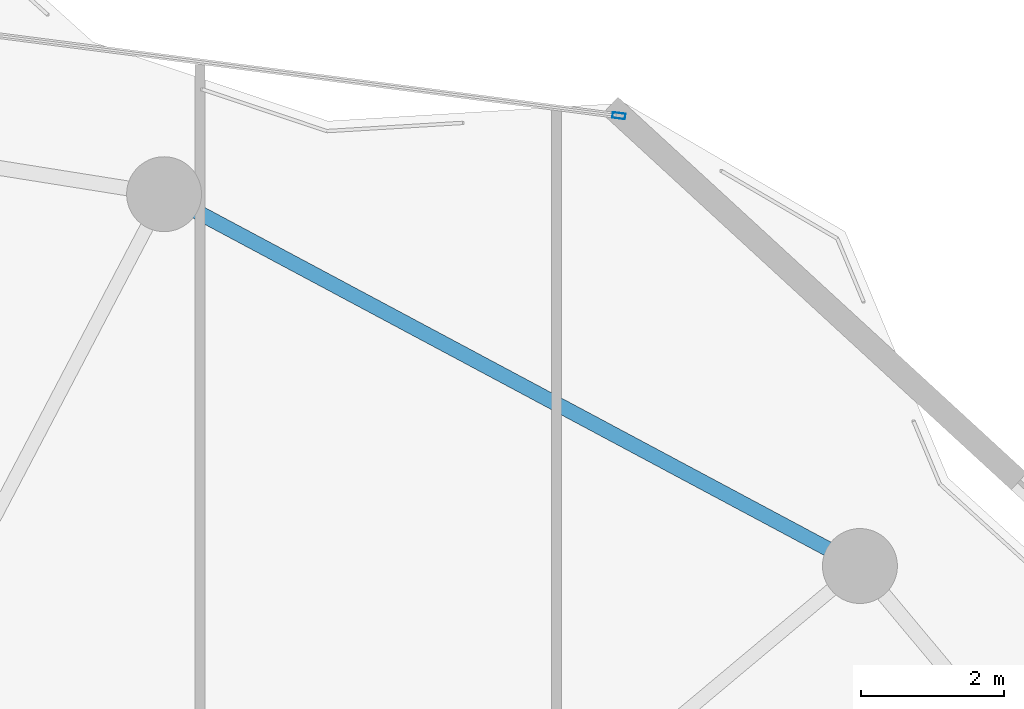
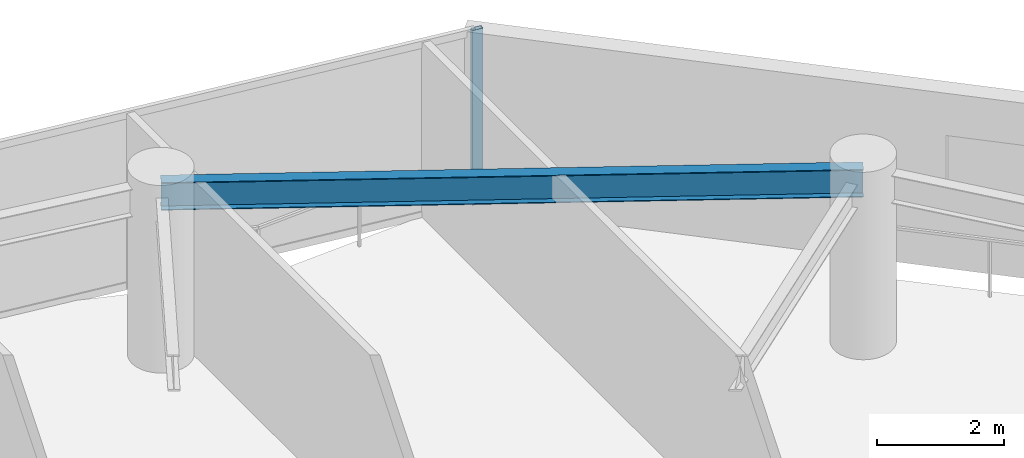
# One storey, part 23 of 31: 1 beam, 1 member, 1 element without a shape of its own.
"""IFC4 building model written with IfcOpenShell, lengths in metres."""

from ifc_helpers import new_model, si_unit, direction, frame, origin, origin_2d, place, context, subcontext, project, spatial, hollow_rectangle, i_section, extrude, material, layer, layer_set, material_profile, profile_set, type_object, element, aggregate, save


model = new_model("IFC4")

# Units and contexts
model_context = context("Model", 3, precision=1e-05, world=origin(), true_north=direction((0.0, 1.0)))
body_context = subcontext(model_context, "Body", "Model", "MODEL_VIEW")
ifc_project = project(units=[si_unit("LENGTHUNIT", "METRE"), si_unit("AREAUNIT", "SQUARE_METRE"), si_unit("VOLUMEUNIT", "CUBIC_METRE"), si_unit("PLANEANGLEUNIT", "RADIAN"), si_unit("MASSUNIT", "GRAM", prefix="KILO")], contexts=[model_context])

# Site, building, storey
site_placement = place(None, origin())
site = spatial("IfcSite", under=ifc_project, at=site_placement, CompositionType="ELEMENT")
building_placement = place(site_placement, origin())
building = spatial("IfcBuilding", under=site, at=building_placement, Name="Kazevale Care Tower and Concert Hall", CompositionType="ELEMENT")
storey_placement = place(building_placement, frame((0.0, 0.0, 202.800048828125)))
storey = spatial("IfcBuildingStorey", under=building, at=storey_placement, Name="L53", CompositionType="ELEMENT", Elevation=202.800048828125)

# Curtain wall, member
ifc_material_1 = material(Name="Aluminium 6063-T6 and Low-E Glass", Category="aluminium")
ifc_layer = layer(ifc_material_1, 0.179931640625)
ifc_layer_set = layer_set([ifc_layer], Name="Aluminium 6063-T6 and Low-E Glass")
curtain_wall_type = type_object("IfcCurtainWallType", Name="Waist & Upper Residential Curtain Wall CW-4", PredefinedType="NOTDEFINED", material=ifc_layer_set)
curtain_wall_placement = place(storey_placement, origin())
curtain_wall = element("IfcCurtainWall", 1, at=curtain_wall_placement, inside=storey, type_object=curtain_wall_type, Name="cw:L53:f16", PredefinedType="NOTDEFINED")
ifc_material_2 = material(Name="Aluminium 6063-T6", Category="aluminium")
ifc_material_profile_1 = material_profile(ifc_material_2, hollow_rectangle(XDim=0.080078125, YDim=0.179931640625, WallThickness=0.0048828125, at=origin_2d()), Name="ALU80x180x5")
ifc_profile_set_1 = profile_set([ifc_material_profile_1], Name="Aluminium 6063-T6")
member_type = type_object("IfcMemberType", Name="CW-4 Mullion ALU80x180x5", PredefinedType="MULLION", material=ifc_profile_set_1)
member_placement = place(storey_placement, frame((62.873291015625, 61.319091796875, 0.0), z_axis=(0.0, 0.0, 1.0), x_axis=(0.128098132904, 0.991761497713, 0.0)))
member = element("IfcMember", 2, at=member_placement, type_object=member_type, Name="CW-4 mullion 2", PredefinedType="MULLION", context=body_context, shape_type="SweptSolid", body=[
    extrude(hollow_rectangle(XDim=0.080078125, YDim=0.179931640625, WallThickness=0.0048828125, at=origin_2d()), origin(), (0.0, 0.0, 1.0), 3.35986328125),
])
aggregate(curtain_wall, [member])

# Beam
ifc_material_3 = material(Name="Steel ASTM A572 Gr 50", Category="steel")
ifc_material_profile_2 = material_profile(ifc_material_3, i_section(OverallWidth=0.208984375, OverallDepth=0.532958984375, WebThickness=0.01025390625, FlangeThickness=0.015625, at=origin_2d()), Name="W530x92")
ifc_profile_set_2 = profile_set([ifc_material_profile_2], Name="Steel ASTM A572 Gr 50")
beam_type = type_object("IfcBeamType", Name="Upper Ring Beam W530x92", PredefinedType="BEAM", material=ifc_profile_set_2)
beam_placement = place(storey_placement, frame((66.25, 55.010009765625, 3.093505859375), z_axis=(-0.881978519833, 0.471289603697, 0.0), x_axis=(-0.471289603697, -0.881978519833, 0.0)))
element("IfcBeam", 3, at=beam_placement, inside=storey, type_object=beam_type, Name="beam:L53:ring:03", PredefinedType="BEAM", context=body_context, shape_type="SweptSolid", body=[
    extrude(i_section(OverallWidth=0.208984375, OverallDepth=0.532958984375, WebThickness=0.01025390625, FlangeThickness=0.015625, at=origin_2d()), origin(), (0.0, 0.0, 1.0), 11.0546875),
])

save(model, "model.ifc")
